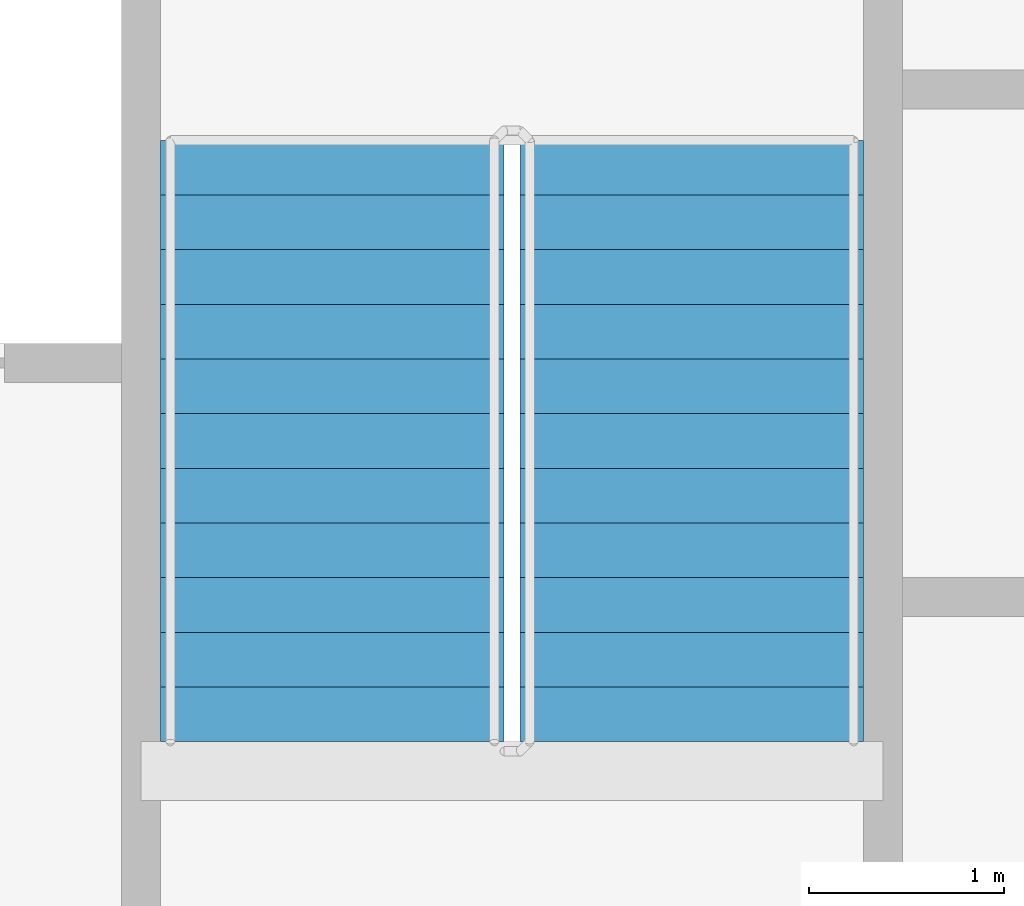
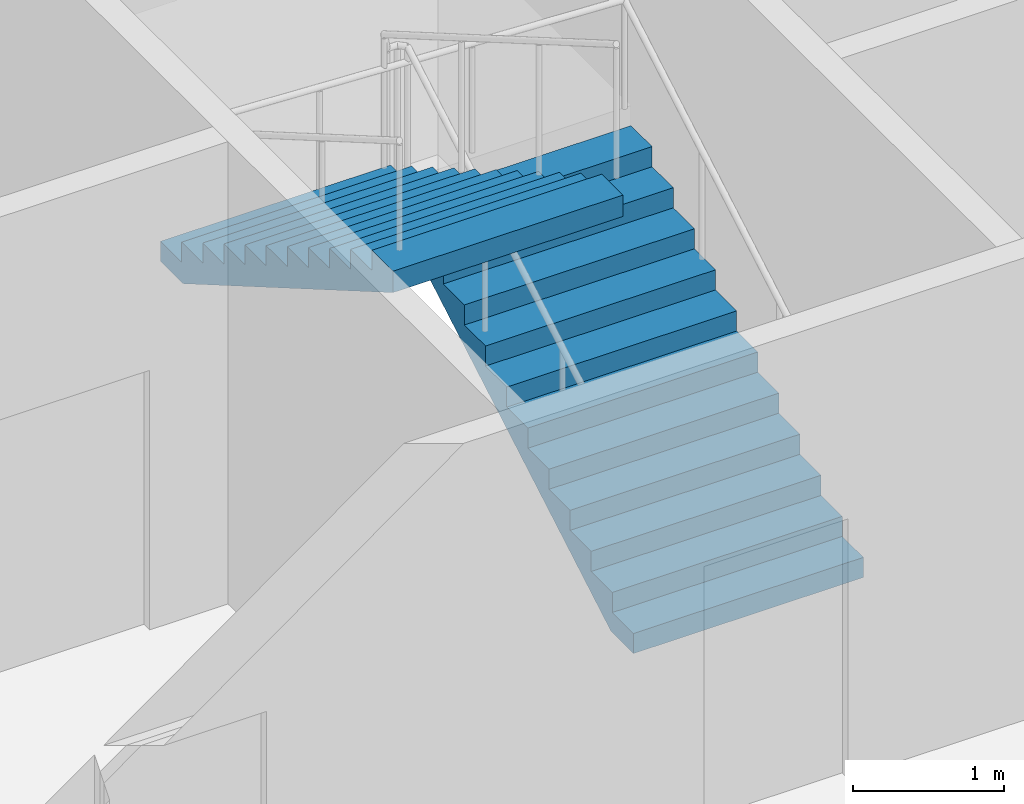
# One storey, part 16 of 22: 2 stair flights, 1 element without a shape of its own.
"""IFC4 building model written with IfcOpenShell, lengths in metres."""

from ifc_helpers import new_model, si_unit, direction, frame, origin, place, context, subcontext, project, spatial, faceted_brep, material, type_object, element, aggregate, save


model = new_model("IFC4")

# Units and contexts
model_context = context("Model", 3, precision=1e-05, world=origin(), true_north=direction((0.0, 1.0)))
body_context = subcontext(model_context, "Body", "Model", "MODEL_VIEW")
ifc_project = project(units=[si_unit("LENGTHUNIT", "METRE"), si_unit("AREAUNIT", "SQUARE_METRE"), si_unit("VOLUMEUNIT", "CUBIC_METRE"), si_unit("PLANEANGLEUNIT", "RADIAN"), si_unit("MASSUNIT", "GRAM", prefix="KILO")], contexts=[model_context])

# Site, building, storey
site_placement = place(None, origin())
site = spatial("IfcSite", under=ifc_project, at=site_placement, CompositionType="ELEMENT")
building_placement = place(site_placement, origin())
building = spatial("IfcBuilding", under=site, at=building_placement, Name="Tarsis Ring Headquarters", CompositionType="ELEMENT")
storey_placement = place(building_placement, frame((0.0, 0.0, 116.199951171875)))
storey = spatial("IfcBuildingStorey", under=building, at=storey_placement, Name="L26", CompositionType="ELEMENT", Elevation=116.199951171875)

# Stair, stair flights
ifc_material_1 = material(Name="Core stair 1760")
stair_type = type_object("IfcStairType", Name="Core stair 1760", PredefinedType="HALF_TURN_STAIR", material=ifc_material_1)
stair_placement = place(storey_placement, origin())
stair = element("IfcStair", 1, at=stair_placement, inside=storey, type_object=stair_type, Name="L26 Exit stair B", PredefinedType="HALF_TURN_STAIR")
ifc_material_2 = material(Name="Concrete C40/50", Category="concrete")
stair_flight_type = type_object("IfcStairFlightType", Name="Core stair flight 1760", PredefinedType="STRAIGHT", material=ifc_material_2)
stair_flight_1_placement = place(storey_placement, frame((5.419921875, 3.659912109375, 0.0), z_axis=(0.0, 0.0, 1.0), x_axis=(0.0, 1.0, 0.0)))
stair_flight_1 = element("IfcStairFlight", 2, at=stair_flight_1_placement, type_object=stair_flight_type, Name="Stair ST2 flight 1", NumberOfRisers=12, NumberOfTreads=11, PredefinedType="STRAIGHT", RiserHeight=0.1625, TreadLength=0.28, context=body_context, shape_type="Brep", body=[
    faceted_brep([(0.0, 0.8798828125, 0.0), (0.0, 0.8798828125, 0.16259765625), (0.280029296875, 0.8798828125, 0.16259765625), (0.280029296875, 0.8798828125, 0.324951171875), (0.56005859375, 0.8798828125, 0.324951171875), (0.56005859375, 0.8798828125, 0.487548828125), (0.840087890625, 0.8798828125, 0.487548828125), (0.840087890625, 0.8798828125, 0.64990234375), (1.1201171875, 0.8798828125, 0.64990234375), (1.1201171875, 0.8798828125, 0.8125), (1.39990234375, 0.8798828125, 0.8125), (1.39990234375, 0.8798828125, 0.97509765625), (1.679931640625, 0.8798828125, 0.97509765625), (1.679931640625, 0.8798828125, 1.137451171875), (1.9599609375, 0.8798828125, 1.137451171875), (1.9599609375, 0.8798828125, 1.300048828125), (2.239990234375, 0.8798828125, 1.300048828125), (2.239990234375, 0.8798828125, 1.46240234375), (2.52001953125, 0.8798828125, 1.46240234375), (2.52001953125, 0.8798828125, 1.625), (2.800048828125, 0.8798828125, 1.625), (2.800048828125, 0.8798828125, 1.78759765625), (3.080078125, 0.8798828125, 1.78759765625), (3.080078125, 0.8798828125, 1.6142578125), (0.298583984375, 0.8798828125, 0.0), (0.298583984375, -0.8798828125, 0.0), (3.080078125, -0.8798828125, 1.6142578125), (3.080078125, -0.8798828125, 1.78759765625), (2.800048828125, -0.8798828125, 1.78759765625), (2.800048828125, -0.8798828125, 1.625), (2.52001953125, -0.8798828125, 1.625), (2.52001953125, -0.8798828125, 1.46240234375), (2.239990234375, -0.8798828125, 1.46240234375), (2.239990234375, -0.8798828125, 1.300048828125), (1.9599609375, -0.8798828125, 1.300048828125), (1.9599609375, -0.8798828125, 1.137451171875), (1.679931640625, -0.8798828125, 1.137451171875), (1.679931640625, -0.8798828125, 0.97509765625), (1.39990234375, -0.8798828125, 0.97509765625), (1.39990234375, -0.8798828125, 0.8125), (1.1201171875, -0.8798828125, 0.8125), (1.1201171875, -0.8798828125, 0.64990234375), (0.840087890625, -0.8798828125, 0.64990234375), (0.840087890625, -0.8798828125, 0.487548828125), (0.56005859375, -0.8798828125, 0.487548828125), (0.56005859375, -0.8798828125, 0.324951171875), (0.280029296875, -0.8798828125, 0.324951171875), (0.280029296875, -0.8798828125, 0.16259765625), (0.0, -0.8798828125, 0.16259765625), (0.0, -0.8798828125, 0.0), (0.0, -0.43994140625, 0.16259765625), (0.0, -0.43994140625, 0.0), (0.0, 0.0, 0.16259765625), (0.0, 0.0, 0.0), (0.0, 0.43994140625, 0.16259765625), (0.0, 0.43994140625, 0.0), (0.280029296875, -0.43994140625, 0.16259765625), (0.280029296875, 0.0, 0.16259765625), (0.280029296875, 0.43994140625, 0.16259765625), (0.280029296875, -0.43994140625, 0.324951171875), (0.280029296875, 0.0, 0.324951171875), (0.280029296875, 0.43994140625, 0.324951171875), (0.56005859375, -0.43994140625, 0.324951171875), (0.56005859375, 0.0, 0.324951171875), (0.56005859375, 0.43994140625, 0.324951171875), (0.56005859375, -0.43994140625, 0.487548828125), (0.56005859375, 0.0, 0.487548828125), (0.56005859375, 0.43994140625, 0.487548828125), (0.840087890625, -0.43994140625, 0.487548828125), (0.840087890625, 0.0, 0.487548828125), (0.840087890625, 0.43994140625, 0.487548828125), (0.840087890625, -0.43994140625, 0.64990234375), (0.840087890625, 0.0, 0.64990234375), (0.840087890625, 0.43994140625, 0.64990234375), (1.1201171875, -0.43994140625, 0.64990234375), (1.1201171875, 0.0, 0.64990234375), (1.1201171875, 0.43994140625, 0.64990234375), (1.1201171875, -0.43994140625, 0.8125), (1.1201171875, 0.0, 0.8125), (1.1201171875, 0.43994140625, 0.8125), (1.39990234375, -0.43994140625, 0.8125), (1.39990234375, 0.0, 0.8125), (1.39990234375, 0.43994140625, 0.8125), (1.39990234375, -0.43994140625, 0.97509765625), (1.39990234375, 0.0, 0.97509765625), (1.39990234375, 0.43994140625, 0.97509765625), (1.679931640625, -0.43994140625, 0.97509765625), (1.679931640625, 0.0, 0.97509765625), (1.679931640625, 0.43994140625, 0.97509765625), (1.679931640625, -0.43994140625, 1.137451171875), (1.679931640625, 0.0, 1.137451171875), (1.679931640625, 0.43994140625, 1.137451171875), (1.9599609375, -0.43994140625, 1.137451171875), (1.9599609375, 0.0, 1.137451171875), (1.9599609375, 0.43994140625, 1.137451171875), (1.9599609375, -0.43994140625, 1.300048828125), (1.9599609375, 0.0, 1.300048828125), (1.9599609375, 0.43994140625, 1.300048828125), (2.239990234375, -0.43994140625, 1.300048828125), (2.239990234375, 0.0, 1.300048828125), (2.239990234375, 0.43994140625, 1.300048828125), (2.239990234375, -0.43994140625, 1.46240234375), (2.239990234375, 0.0, 1.46240234375), (2.239990234375, 0.43994140625, 1.46240234375), (2.52001953125, -0.43994140625, 1.46240234375), (2.52001953125, 0.0, 1.46240234375), (2.52001953125, 0.43994140625, 1.46240234375), (2.52001953125, -0.43994140625, 1.625), (2.52001953125, 0.0, 1.625), (2.52001953125, 0.43994140625, 1.625), (2.800048828125, -0.43994140625, 1.625), (2.800048828125, 0.0, 1.625), (2.800048828125, 0.43994140625, 1.625), (2.800048828125, -0.43994140625, 1.78759765625), (2.800048828125, 0.0, 1.78759765625), (2.800048828125, 0.43994140625, 1.78759765625), (3.080078125, -0.43994140625, 1.78759765625), (3.080078125, 0.0, 1.78759765625), (3.080078125, 0.43994140625, 1.78759765625), (3.080078125, -0.43994140625, 1.6142578125), (3.080078125, 0.0, 1.6142578125), (3.080078125, 0.43994140625, 1.6142578125), (0.298583984375, -0.43994140625, 0.0), (0.298583984375, 0.0, 0.0), (0.298583984375, 0.43994140625, 0.0)], [[[0, 1, 2, 3, 4, 5, 6, 7, 8, 9, 10, 11, 12, 13, 14, 15, 16, 17, 18, 19, 20, 21, 22, 23, 24]], [[25, 26, 27, 28, 29, 30, 31, 32, 33, 34, 35, 36, 37, 38, 39, 40, 41, 42, 43, 44, 45, 46, 47, 48, 49]], [[49, 48, 50, 51]], [[51, 50, 52, 53]], [[53, 52, 54, 55]], [[55, 54, 1, 0]], [[48, 47, 56, 50]], [[50, 56, 57, 52]], [[52, 57, 58, 54]], [[54, 58, 2, 1]], [[47, 46, 59, 56]], [[56, 59, 60, 57]], [[57, 60, 61, 58]], [[58, 61, 3, 2]], [[46, 45, 62, 59]], [[59, 62, 63, 60]], [[60, 63, 64, 61]], [[61, 64, 4, 3]], [[45, 44, 65, 62]], [[62, 65, 66, 63]], [[63, 66, 67, 64]], [[64, 67, 5, 4]], [[44, 43, 68, 65]], [[65, 68, 69, 66]], [[66, 69, 70, 67]], [[67, 70, 6, 5]], [[43, 42, 71, 68]], [[68, 71, 72, 69]], [[69, 72, 73, 70]], [[70, 73, 7, 6]], [[42, 41, 74, 71]], [[71, 74, 75, 72]], [[72, 75, 76, 73]], [[73, 76, 8, 7]], [[41, 40, 77, 74]], [[74, 77, 78, 75]], [[75, 78, 79, 76]], [[76, 79, 9, 8]], [[40, 39, 80, 77]], [[77, 80, 81, 78]], [[78, 81, 82, 79]], [[79, 82, 10, 9]], [[39, 38, 83, 80]], [[80, 83, 84, 81]], [[81, 84, 85, 82]], [[82, 85, 11, 10]], [[38, 37, 86, 83]], [[83, 86, 87, 84]], [[84, 87, 88, 85]], [[85, 88, 12, 11]], [[37, 36, 89, 86]], [[86, 89, 90, 87]], [[87, 90, 91, 88]], [[88, 91, 13, 12]], [[36, 35, 92, 89]], [[89, 92, 93, 90]], [[90, 93, 94, 91]], [[91, 94, 14, 13]], [[35, 34, 95, 92]], [[92, 95, 96, 93]], [[93, 96, 97, 94]], [[94, 97, 15, 14]], [[34, 33, 98, 95]], [[95, 98, 99, 96]], [[96, 99, 100, 97]], [[97, 100, 16, 15]], [[33, 32, 101, 98]], [[98, 101, 102, 99]], [[99, 102, 103, 100]], [[100, 103, 17, 16]], [[32, 31, 104, 101]], [[101, 104, 105, 102]], [[102, 105, 106, 103]], [[103, 106, 18, 17]], [[31, 30, 107, 104]], [[104, 107, 108, 105]], [[105, 108, 109, 106]], [[106, 109, 19, 18]], [[30, 29, 110, 107]], [[107, 110, 111, 108]], [[108, 111, 112, 109]], [[109, 112, 20, 19]], [[29, 28, 113, 110]], [[110, 113, 114, 111]], [[111, 114, 115, 112]], [[112, 115, 21, 20]], [[28, 27, 116, 113]], [[113, 116, 117, 114]], [[114, 117, 118, 115]], [[115, 118, 22, 21]], [[27, 26, 119, 116]], [[116, 119, 120, 117]], [[117, 120, 121, 118]], [[118, 121, 23, 22]], [[26, 25, 122, 119]], [[119, 122, 123, 120]], [[120, 123, 124, 121]], [[121, 124, 24, 23]], [[25, 49, 51, 122]], [[122, 51, 53, 123]], [[123, 53, 55, 124]], [[124, 55, 0, 24]]]),
])
stair_flight_2_placement = place(storey_placement, frame((3.580078125, 6.739990234375, 1.949951171875), z_axis=(0.0, 0.0, 1.0), x_axis=(0.0, -1.0, 0.0)))
stair_flight_2 = element("IfcStairFlight", 3, at=stair_flight_2_placement, type_object=stair_flight_type, Name="Stair ST2 flight 2", NumberOfRisers=12, NumberOfTreads=11, PredefinedType="STRAIGHT", RiserHeight=0.1625, TreadLength=0.28, context=body_context, shape_type="Brep", body=[
    faceted_brep([(0.0, 0.8798828125, 0.0), (0.0, 0.8798828125, 0.16259765625), (0.280029296875, 0.8798828125, 0.16259765625), (0.280029296875, 0.8798828125, 0.324951171875), (0.56005859375, 0.8798828125, 0.324951171875), (0.56005859375, 0.8798828125, 0.487548828125), (0.840087890625, 0.8798828125, 0.487548828125), (0.840087890625, 0.8798828125, 0.64990234375), (1.1201171875, 0.8798828125, 0.64990234375), (1.1201171875, 0.8798828125, 0.8125), (1.39990234375, 0.8798828125, 0.8125), (1.39990234375, 0.8798828125, 0.97509765625), (1.679931640625, 0.8798828125, 0.97509765625), (1.679931640625, 0.8798828125, 1.137451171875), (1.9599609375, 0.8798828125, 1.137451171875), (1.9599609375, 0.8798828125, 1.300048828125), (2.239990234375, 0.8798828125, 1.300048828125), (2.239990234375, 0.8798828125, 1.46240234375), (2.52001953125, 0.8798828125, 1.46240234375), (2.52001953125, 0.8798828125, 1.625), (2.800048828125, 0.8798828125, 1.625), (2.800048828125, 0.8798828125, 1.78759765625), (3.080078125, 0.8798828125, 1.78759765625), (3.080078125, 0.8798828125, 1.6142578125), (0.298583984375, 0.8798828125, 0.0), (0.298583984375, -0.8798828125, 0.0), (3.080078125, -0.8798828125, 1.6142578125), (3.080078125, -0.8798828125, 1.78759765625), (2.800048828125, -0.8798828125, 1.78759765625), (2.800048828125, -0.8798828125, 1.625), (2.52001953125, -0.8798828125, 1.625), (2.52001953125, -0.8798828125, 1.46240234375), (2.239990234375, -0.8798828125, 1.46240234375), (2.239990234375, -0.8798828125, 1.300048828125), (1.9599609375, -0.8798828125, 1.300048828125), (1.9599609375, -0.8798828125, 1.137451171875), (1.679931640625, -0.8798828125, 1.137451171875), (1.679931640625, -0.8798828125, 0.97509765625), (1.39990234375, -0.8798828125, 0.97509765625), (1.39990234375, -0.8798828125, 0.8125), (1.1201171875, -0.8798828125, 0.8125), (1.1201171875, -0.8798828125, 0.64990234375), (0.840087890625, -0.8798828125, 0.64990234375), (0.840087890625, -0.8798828125, 0.487548828125), (0.56005859375, -0.8798828125, 0.487548828125), (0.56005859375, -0.8798828125, 0.324951171875), (0.280029296875, -0.8798828125, 0.324951171875), (0.280029296875, -0.8798828125, 0.16259765625), (0.0, -0.8798828125, 0.16259765625), (0.0, -0.8798828125, 0.0), (0.0, -0.43994140625, 0.16259765625), (0.0, -0.43994140625, 0.0), (0.0, 0.0, 0.16259765625), (0.0, 0.0, 0.0), (0.0, 0.43994140625, 0.16259765625), (0.0, 0.43994140625, 0.0), (0.280029296875, -0.43994140625, 0.16259765625), (0.280029296875, 0.0, 0.16259765625), (0.280029296875, 0.43994140625, 0.16259765625), (0.280029296875, -0.43994140625, 0.324951171875), (0.280029296875, 0.0, 0.324951171875), (0.280029296875, 0.43994140625, 0.324951171875), (0.56005859375, -0.43994140625, 0.324951171875), (0.56005859375, 0.0, 0.324951171875), (0.56005859375, 0.43994140625, 0.324951171875), (0.56005859375, -0.43994140625, 0.487548828125), (0.56005859375, 0.0, 0.487548828125), (0.56005859375, 0.43994140625, 0.487548828125), (0.840087890625, -0.43994140625, 0.487548828125), (0.840087890625, 0.0, 0.487548828125), (0.840087890625, 0.43994140625, 0.487548828125), (0.840087890625, -0.43994140625, 0.64990234375), (0.840087890625, 0.0, 0.64990234375), (0.840087890625, 0.43994140625, 0.64990234375), (1.1201171875, -0.43994140625, 0.64990234375), (1.1201171875, 0.0, 0.64990234375), (1.1201171875, 0.43994140625, 0.64990234375), (1.1201171875, -0.43994140625, 0.8125), (1.1201171875, 0.0, 0.8125), (1.1201171875, 0.43994140625, 0.8125), (1.39990234375, -0.43994140625, 0.8125), (1.39990234375, 0.0, 0.8125), (1.39990234375, 0.43994140625, 0.8125), (1.39990234375, -0.43994140625, 0.97509765625), (1.39990234375, 0.0, 0.97509765625), (1.39990234375, 0.43994140625, 0.97509765625), (1.679931640625, -0.43994140625, 0.97509765625), (1.679931640625, 0.0, 0.97509765625), (1.679931640625, 0.43994140625, 0.97509765625), (1.679931640625, -0.43994140625, 1.137451171875), (1.679931640625, 0.0, 1.137451171875), (1.679931640625, 0.43994140625, 1.137451171875), (1.9599609375, -0.43994140625, 1.137451171875), (1.9599609375, 0.0, 1.137451171875), (1.9599609375, 0.43994140625, 1.137451171875), (1.9599609375, -0.43994140625, 1.300048828125), (1.9599609375, 0.0, 1.300048828125), (1.9599609375, 0.43994140625, 1.300048828125), (2.239990234375, -0.43994140625, 1.300048828125), (2.239990234375, 0.0, 1.300048828125), (2.239990234375, 0.43994140625, 1.300048828125), (2.239990234375, -0.43994140625, 1.46240234375), (2.239990234375, 0.0, 1.46240234375), (2.239990234375, 0.43994140625, 1.46240234375), (2.52001953125, -0.43994140625, 1.46240234375), (2.52001953125, 0.0, 1.46240234375), (2.52001953125, 0.43994140625, 1.46240234375), (2.52001953125, -0.43994140625, 1.625), (2.52001953125, 0.0, 1.625), (2.52001953125, 0.43994140625, 1.625), (2.800048828125, -0.43994140625, 1.625), (2.800048828125, 0.0, 1.625), (2.800048828125, 0.43994140625, 1.625), (2.800048828125, -0.43994140625, 1.78759765625), (2.800048828125, 0.0, 1.78759765625), (2.800048828125, 0.43994140625, 1.78759765625), (3.080078125, -0.43994140625, 1.78759765625), (3.080078125, 0.0, 1.78759765625), (3.080078125, 0.43994140625, 1.78759765625), (3.080078125, -0.43994140625, 1.6142578125), (3.080078125, 0.0, 1.6142578125), (3.080078125, 0.43994140625, 1.6142578125), (0.298583984375, -0.43994140625, 0.0), (0.298583984375, 0.0, 0.0), (0.298583984375, 0.43994140625, 0.0)], [[[0, 1, 2, 3, 4, 5, 6, 7, 8, 9, 10, 11, 12, 13, 14, 15, 16, 17, 18, 19, 20, 21, 22, 23, 24]], [[25, 26, 27, 28, 29, 30, 31, 32, 33, 34, 35, 36, 37, 38, 39, 40, 41, 42, 43, 44, 45, 46, 47, 48, 49]], [[49, 48, 50, 51]], [[51, 50, 52, 53]], [[53, 52, 54, 55]], [[55, 54, 1, 0]], [[48, 47, 56, 50]], [[50, 56, 57, 52]], [[52, 57, 58, 54]], [[54, 58, 2, 1]], [[47, 46, 59, 56]], [[56, 59, 60, 57]], [[57, 60, 61, 58]], [[58, 61, 3, 2]], [[46, 45, 62, 59]], [[59, 62, 63, 60]], [[60, 63, 64, 61]], [[61, 64, 4, 3]], [[45, 44, 65, 62]], [[62, 65, 66, 63]], [[63, 66, 67, 64]], [[64, 67, 5, 4]], [[44, 43, 68, 65]], [[65, 68, 69, 66]], [[66, 69, 70, 67]], [[67, 70, 6, 5]], [[43, 42, 71, 68]], [[68, 71, 72, 69]], [[69, 72, 73, 70]], [[70, 73, 7, 6]], [[42, 41, 74, 71]], [[71, 74, 75, 72]], [[72, 75, 76, 73]], [[73, 76, 8, 7]], [[41, 40, 77, 74]], [[74, 77, 78, 75]], [[75, 78, 79, 76]], [[76, 79, 9, 8]], [[40, 39, 80, 77]], [[77, 80, 81, 78]], [[78, 81, 82, 79]], [[79, 82, 10, 9]], [[39, 38, 83, 80]], [[80, 83, 84, 81]], [[81, 84, 85, 82]], [[82, 85, 11, 10]], [[38, 37, 86, 83]], [[83, 86, 87, 84]], [[84, 87, 88, 85]], [[85, 88, 12, 11]], [[37, 36, 89, 86]], [[86, 89, 90, 87]], [[87, 90, 91, 88]], [[88, 91, 13, 12]], [[36, 35, 92, 89]], [[89, 92, 93, 90]], [[90, 93, 94, 91]], [[91, 94, 14, 13]], [[35, 34, 95, 92]], [[92, 95, 96, 93]], [[93, 96, 97, 94]], [[94, 97, 15, 14]], [[34, 33, 98, 95]], [[95, 98, 99, 96]], [[96, 99, 100, 97]], [[97, 100, 16, 15]], [[33, 32, 101, 98]], [[98, 101, 102, 99]], [[99, 102, 103, 100]], [[100, 103, 17, 16]], [[32, 31, 104, 101]], [[101, 104, 105, 102]], [[102, 105, 106, 103]], [[103, 106, 18, 17]], [[31, 30, 107, 104]], [[104, 107, 108, 105]], [[105, 108, 109, 106]], [[106, 109, 19, 18]], [[30, 29, 110, 107]], [[107, 110, 111, 108]], [[108, 111, 112, 109]], [[109, 112, 20, 19]], [[29, 28, 113, 110]], [[110, 113, 114, 111]], [[111, 114, 115, 112]], [[112, 115, 21, 20]], [[28, 27, 116, 113]], [[113, 116, 117, 114]], [[114, 117, 118, 115]], [[115, 118, 22, 21]], [[27, 26, 119, 116]], [[116, 119, 120, 117]], [[117, 120, 121, 118]], [[118, 121, 23, 22]], [[26, 25, 122, 119]], [[119, 122, 123, 120]], [[120, 123, 124, 121]], [[121, 124, 24, 23]], [[25, 49, 51, 122]], [[122, 51, 53, 123]], [[123, 53, 55, 124]], [[124, 55, 0, 24]]]),
])
aggregate(stair, [stair_flight_1, stair_flight_2])

save(model, "model.ifc")
